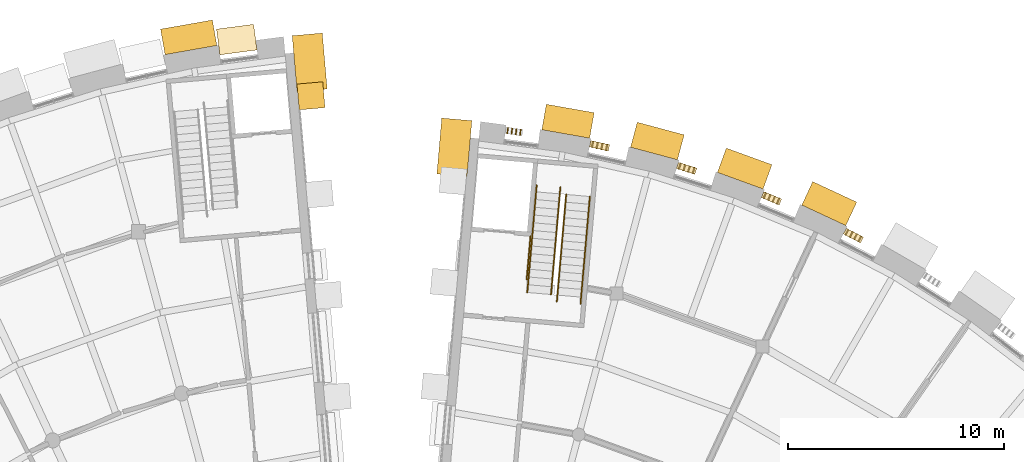
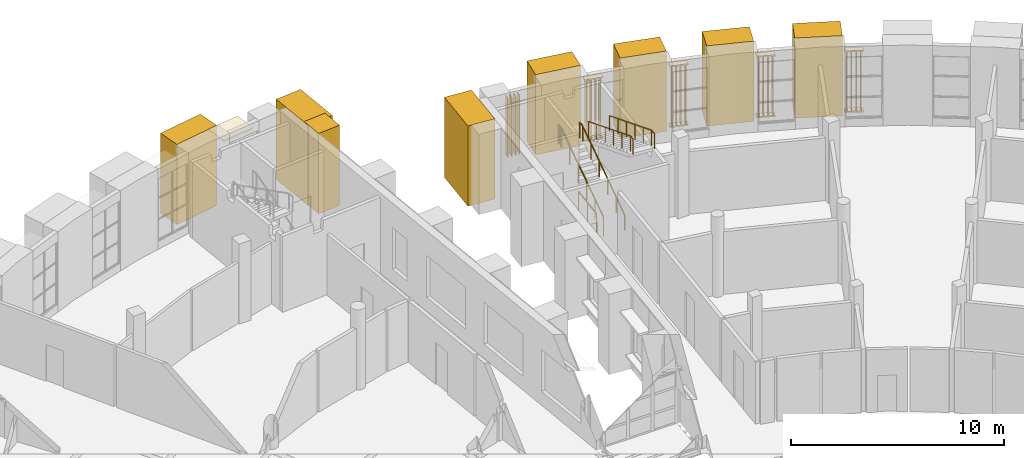
# One storey, part 63 of 66: 37 coverings, 5 railings.
"""IFC4 building model written with IfcOpenShell, lengths in metres."""

from ifc_helpers import new_model, si_unit, direction, frame, origin, origin_2d, place, context, subcontext, project, spatial, rectangle, circle, extrude, material, layer, layer_set, type_object, element, save


model = new_model("IFC4")

# Units and contexts
model_context = context("Model", 3, precision=1e-05, world=origin(), true_north=direction((0.0, 1.0)))
body_context = subcontext(model_context, "Body", "Model", "MODEL_VIEW")
ifc_project = project(units=[si_unit("LENGTHUNIT", "METRE"), si_unit("AREAUNIT", "SQUARE_METRE"), si_unit("VOLUMEUNIT", "CUBIC_METRE"), si_unit("PLANEANGLEUNIT", "RADIAN"), si_unit("MASSUNIT", "GRAM", prefix="KILO")], contexts=[model_context])

# Site, building, storey
site_placement = place(None, origin())
site = spatial("IfcSite", under=ifc_project, at=site_placement, CompositionType="ELEMENT")
building_placement = place(site_placement, origin())
building = spatial("IfcBuilding", under=site, at=building_placement, Name="Volute Hill Aquarium", CompositionType="ELEMENT")
storey_placement = place(building_placement, frame((0.0, 0.0, 4.60009765625)))
storey = spatial("IfcBuildingStorey", under=building, at=storey_placement, Name="L02", CompositionType="ELEMENT", Elevation=4.60009765625)

# Covering
ifc_material_1 = material(Name="Precast concrete C40/50", Category="concrete")
covering_type_1 = type_object("IfcCoveringType", Name="End wall precast fin C40/50 1200x1200", PredefinedType="CLADDING", material=ifc_material_1)
covering_1_placement = place(storey_placement, frame((-3.4619140625, 49.034912109375, -0.000244140625), z_axis=(0.0, 0.0, 1.0), x_axis=(-0.08715511842, 0.996194752713, 0.0)))
element("IfcCovering", 1, at=covering_1_placement, inside=storey, type_object=covering_type_1, Name="End wall fin EWF S6A L02 7", PredefinedType="CLADDING", context=body_context, shape_type="SweptSolid", body=[
    extrude(rectangle(XDim=1.199951171875, YDim=1.199951171875, at=origin_2d()), origin(), (0.0, 0.0, 1.0), 4.60009765625),
])

# Railings
ifc_material_2 = material(Name="Stainless steel 1.4301", Category="steel")
railing_type_1 = type_object("IfcRailingType", Name="Guard 1100 stainless", PredefinedType="GUARDRAIL", material=ifc_material_2)
railing_1_placement = place(storey_placement, frame((6.701904296875, 42.527587890625, 0.0)))
element("IfcRailing", 2, at=railing_1_placement, inside=storey, type_object=railing_type_1, Name="gd/S5-B/L02/edge", PredefinedType="GUARDRAIL", context=body_context, shape_type="SweptSolid", body=[
    extrude(circle(Radius=0.02392578125, at=origin_2d()), frame((0.0, 0.0, 1.076171875), z_axis=(-0.087166950281, -0.996193717496, 0.0), x_axis=(0.996193717496, -0.087166950281, 0.0)), (0.0, 0.0, 1.0), 1.999755859375),
    extrude(circle(Radius=0.02099609375, at=origin_2d()), origin(), (0.0, 0.0, 1.0), 1.052001953125),
    extrude(circle(Radius=0.02099609375, at=origin_2d()), frame((-0.087158203125, -0.99609375, 0.0)), (0.0, 0.0, 1.0), 1.052001953125),
    extrude(circle(Radius=0.02099609375, at=origin_2d()), frame((-0.17431640625, -1.9921875, 0.0)), (0.0, 0.0, 1.0), 1.052001953125),
])
railing_2_placement = place(storey_placement, frame((6.55517578125, 39.9306640625, 0.164306640625)))
element("IfcRailing", 3, at=railing_2_placement, inside=storey, type_object=railing_type_1, Name="gd/S5-B/L02/1", PredefinedType="GUARDRAIL", context=body_context, shape_type="SweptSolid", body=[
    extrude(circle(Radius=0.02392578125, at=origin_2d()), frame((0.0, 0.0, 1.076171875), z_axis=(0.079258608814, 0.906300834673, 0.415134761253), x_axis=(-0.996197793412, 0.087120355834, 0.0)), (0.0, 0.0, 1.0), 5.14404296875),
    extrude(circle(Radius=0.02392578125, at=origin_2d()), frame((0.40771484375, 4.662109375, 3.21142578125), z_axis=(0.087893810296, 0.996129850025, 0.0), x_axis=(-0.996129850025, 0.087893810296, 0.0)), (0.0, 0.0, 1.0), 0.300048828125),
    extrude(circle(Radius=0.02099609375, at=origin_2d()), origin(), (0.0, 0.0, 1.0), 1.052001953125),
    extrude(circle(Radius=0.02099609375, at=origin_2d()), frame((0.08154296875, 0.932373046875, 0.427001953125)), (0.0, 0.0, 1.0), 1.052001953125),
    extrude(circle(Radius=0.02099609375, at=origin_2d()), frame((0.1630859375, 1.86474609375, 0.854248046875)), (0.0, 0.0, 1.0), 1.052001953125),
    extrude(circle(Radius=0.02099609375, at=origin_2d()), frame((0.24462890625, 2.79736328125, 1.28125)), (0.0, 0.0, 1.0), 1.052001953125),
    extrude(circle(Radius=0.02099609375, at=origin_2d()), frame((0.326171875, 3.729736328125, 1.70849609375)), (0.0, 0.0, 1.0), 1.052001953125),
    extrude(circle(Radius=0.02099609375, at=origin_2d()), frame((0.40771484375, 4.662109375, 2.135498046875)), (0.0, 0.0, 1.0), 1.052001953125),
    extrude(circle(Radius=0.02099609375, at=origin_2d()), frame((0.43408203125, 4.9609375, 2.135498046875)), (0.0, 0.0, 1.0), 1.052001953125),
])
ifc_material_3 = material(Name="Stainless steel 1.4301", Category="steel")
railing_type_2 = type_object("IfcRailingType", Name="Handrail 48 stainless", PredefinedType="HANDRAIL", material=ifc_material_3)
railing_3_placement = place(storey_placement, frame((7.65087890625, 39.834716796875, 0.164306640625)))
element("IfcRailing", 4, at=railing_3_placement, inside=storey, type_object=railing_type_2, Name="hr/S5-B/L02/2", PredefinedType="HANDRAIL", context=body_context, shape_type="SweptSolid", body=[
    extrude(circle(Radius=0.02392578125, at=origin_2d()), frame((0.0, 0.0, 0.8759765625), z_axis=(0.079302359607, 0.906305901507, 0.415115343796), x_axis=(-0.996193660874, 0.087167597388, 0.0)), (0.0, 0.0, 1.0), 5.144287109375),
    extrude(circle(Radius=0.02392578125, at=origin_2d()), frame((0.407958984375, 4.662353515625, 3.01123046875), z_axis=(0.087086179441, 0.996200781645, 0.0), x_axis=(-0.996200781645, 0.087086179441, 0.0)), (0.0, 0.0, 1.0), 0.300048828125),
    extrude(circle(Radius=0.02099609375, at=origin_2d()), origin(), (0.0, 0.0, 1.0), 0.851806640625),
    extrude(circle(Radius=0.02099609375, at=origin_2d()), frame((0.08154296875, 0.932373046875, 0.427001953125)), (0.0, 0.0, 1.0), 0.851806640625),
    extrude(circle(Radius=0.02099609375, at=origin_2d()), frame((0.1630859375, 1.864990234375, 0.854248046875)), (0.0, 0.0, 1.0), 0.851806640625),
    extrude(circle(Radius=0.02099609375, at=origin_2d()), frame((0.244873046875, 2.79736328125, 1.28125)), (0.0, 0.0, 1.0), 0.851806640625),
    extrude(circle(Radius=0.02099609375, at=origin_2d()), frame((0.326416015625, 3.72998046875, 1.70849609375)), (0.0, 0.0, 1.0), 0.851806640625),
    extrude(circle(Radius=0.02099609375, at=origin_2d()), frame((0.407958984375, 4.662353515625, 2.135498046875)), (0.0, 0.0, 1.0), 0.851806640625),
    extrude(circle(Radius=0.02099609375, at=origin_2d()), frame((0.43408203125, 4.961181640625, 2.135498046875)), (0.0, 0.0, 1.0), 0.851806640625),
])
railing_4_placement = place(storey_placement, frame((8.357666015625, 44.470703125, 2.464111328125)))
element("IfcRailing", 5, at=railing_4_placement, inside=storey, type_object=railing_type_2, Name="hr/S5-B/L02/3", PredefinedType="HANDRAIL", context=body_context, shape_type="SweptSolid", body=[
    extrude(circle(Radius=0.02392578125, at=origin_2d()), frame((0.0, 0.0, 0.8759765625), z_axis=(-0.079304208105, -0.90627956791, 0.415172479057), x_axis=(0.996193264484, -0.087172127406, 0.0)), (0.0, 0.0, 1.0), 5.144287109375),
    extrude(circle(Radius=0.02392578125, at=origin_2d()), frame((-0.407958984375, -4.662109375, 3.01171875), z_axis=(-0.087086179441, -0.996200781645, 0.0), x_axis=(0.996200781645, -0.087086179441, 0.0)), (0.0, 0.0, 1.0), 0.300048828125),
    extrude(circle(Radius=0.02099609375, at=origin_2d()), origin(), (0.0, 0.0, 1.0), 0.851806640625),
    extrude(circle(Radius=0.02099609375, at=origin_2d()), frame((-0.08154296875, -0.932373046875, 0.42724609375)), (0.0, 0.0, 1.0), 0.851806640625),
    extrude(circle(Radius=0.02099609375, at=origin_2d()), frame((-0.1630859375, -1.86474609375, 0.854248046875)), (0.0, 0.0, 1.0), 0.851806640625),
    extrude(circle(Radius=0.02099609375, at=origin_2d()), frame((-0.244873046875, -2.79736328125, 1.281494140625)), (0.0, 0.0, 1.0), 0.851806640625),
    extrude(circle(Radius=0.02099609375, at=origin_2d()), frame((-0.326416015625, -3.729736328125, 1.70849609375)), (0.0, 0.0, 1.0), 0.851806640625),
    extrude(circle(Radius=0.02099609375, at=origin_2d()), frame((-0.407958984375, -4.662109375, 2.1357421875)), (0.0, 0.0, 1.0), 0.851806640625),
    extrude(circle(Radius=0.02099609375, at=origin_2d()), frame((-0.43408203125, -4.9609375, 2.1357421875)), (0.0, 0.0, 1.0), 0.851806640625),
])
railing_5_placement = place(storey_placement, frame((9.45361328125, 44.375, 2.464111328125)))
element("IfcRailing", 6, at=railing_5_placement, inside=storey, type_object=railing_type_2, Name="hr/S5-B/L02/4", PredefinedType="HANDRAIL", context=body_context, shape_type="SweptSolid", body=[
    extrude(circle(Radius=0.02392578125, at=origin_2d()), frame((0.0, 0.0, 0.8759765625), z_axis=(-0.079300797264, -0.906288046285, 0.415154622658), x_axis=(0.996193660874, -0.087167597388, 0.0)), (0.0, 0.0, 1.0), 5.14453125),
    extrude(circle(Radius=0.02392578125, at=origin_2d()), frame((-0.407958984375, -4.662353515625, 3.01171875), z_axis=(-0.087086179441, -0.996200781645, 0.0), x_axis=(0.996200781645, -0.087086179441, 0.0)), (0.0, 0.0, 1.0), 0.300048828125),
    extrude(circle(Radius=0.02099609375, at=origin_2d()), origin(), (0.0, 0.0, 1.0), 0.851806640625),
    extrude(circle(Radius=0.02099609375, at=origin_2d()), frame((-0.08154296875, -0.932373046875, 0.42724609375)), (0.0, 0.0, 1.0), 0.851806640625),
    extrude(circle(Radius=0.02099609375, at=origin_2d()), frame((-0.1630859375, -1.864990234375, 0.854248046875)), (0.0, 0.0, 1.0), 0.851806640625),
    extrude(circle(Radius=0.02099609375, at=origin_2d()), frame((-0.244873046875, -2.79736328125, 1.281494140625)), (0.0, 0.0, 1.0), 0.851806640625),
    extrude(circle(Radius=0.02099609375, at=origin_2d()), frame((-0.326416015625, -3.72998046875, 1.70849609375)), (0.0, 0.0, 1.0), 0.851806640625),
    extrude(circle(Radius=0.02099609375, at=origin_2d()), frame((-0.407958984375, -4.662353515625, 2.1357421875)), (0.0, 0.0, 1.0), 0.851806640625),
    extrude(circle(Radius=0.02099609375, at=origin_2d()), frame((-0.43408203125, -4.961181640625, 2.1357421875)), (0.0, 0.0, 1.0), 0.851806640625),
])

# Coverings
ifc_material_4 = material(Name="Aluminium, anodised", Category="aluminium")
ifc_layer = layer(ifc_material_4, 0.080078125)
ifc_layer_set = layer_set([ifc_layer], Name="Horizontal brise-soleil eyebrow 1200x80")
covering_type_2 = type_object("IfcCoveringType", Name="Horizontal brise-soleil eyebrow 1200x80", PredefinedType="CLADDING", material=ifc_layer_set)
covering_2_placement = place(storey_placement, frame((-6.89990234375, 51.64208984375, 3.85986328125), z_axis=(0.0, 0.0, 1.0), x_axis=(-0.991444832339, -0.130526412759, 0.0)))
element("IfcCovering", 7, at=covering_2_placement, inside=storey, type_object=covering_type_2, Name="Brise-soleil eyebrow BS S6 L02 1.1", PredefinedType="CLADDING", context=body_context, shape_type="SweptSolid", body=[
    extrude(rectangle(XDim=1.733642578125, YDim=1.199951171875, at=origin_2d()), origin(), (0.0, 0.0, 1.0), 0.080078125),
])
ifc_material_5 = material(Name="Aluminium", Category="aluminium")
covering_type_3 = type_object("IfcCoveringType", Name="Plant louvre slat 40x300", PredefinedType="CLADDING", material=ifc_material_5)
for number, where, z_axis, x_axis, name in (
    (8, (21.95166015625, 42.410400390625, 0.52978515625), (0.0, 0.0, 1.0), (-0.887006559862, 0.461756822107, 0.0), "Plant louvre slat S5 L02 6.1.1"),
    (9, (21.753662109375, 42.513671875, 0.52978515625), (0.0, 0.0, 1.0), (-0.887006559862, 0.461756822107, 0.0), "Plant louvre slat S5 L02 6.1.2"),
    (10, (21.5556640625, 42.61669921875, 0.52978515625), (0.0, 0.0, 1.0), (-0.887006559862, 0.461756822107, 0.0), "Plant louvre slat S5 L02 6.1.3"),
    (11, (21.357666015625, 42.7197265625, 0.52978515625), (0.0, 0.0, 1.0), (-0.887006559862, 0.461756822107, 0.0), "Plant louvre slat S5 L02 6.1.4"),
    (12, (18.171875, 44.162353515625, 0.52978515625), (0.0, 0.0, 1.0), (-0.92387858834, 0.382685711789, 0.0), "Plant louvre slat S5 L02 7.1.1"),
    (13, (17.965576171875, 44.247802734375, 0.52978515625), (0.0, 0.0, 1.0), (-0.92387858834, 0.382685711789, 0.0), "Plant louvre slat S5 L02 7.1.2"),
    (14, (17.75927734375, 44.333251953125, 0.52978515625), (0.0, 0.0, 1.0), (-0.92387858834, 0.382685711789, 0.0), "Plant louvre slat S5 L02 7.1.3"),
    (15, (17.55322265625, 44.418701171875, 0.52978515625), (0.0, 0.0, 1.0), (-0.92387858834, 0.382685711789, 0.0), "Plant louvre slat S5 L02 7.1.4"),
    (16, (14.253662109375, 45.578125, 0.52978515625), (0.0, 0.0, 1.0), (-0.95371759465, 0.3007037573, 0.0), "Plant louvre slat S5 L02 8.1.1"),
    (17, (14.040771484375, 45.645263671875, 0.52978515625), (0.0, 0.0, 1.0), (-0.95371759465, 0.3007037573, 0.0), "Plant louvre slat S5 L02 8.1.2"),
    (18, (13.827880859375, 45.71240234375, 0.52978515625), (0.0, 0.0, 1.0), (-0.95371759465, 0.3007037573, 0.0), "Plant louvre slat S5 L02 8.1.3"),
    (19, (13.614990234375, 45.779296875, 0.52978515625), (0.0, 0.0, 1.0), (-0.95371759465, 0.3007037573, 0.0), "Plant louvre slat S5 L02 8.1.4"),
    (20, (10.22705078125, 46.64697265625, 0.52978515625), (0.0, 0.0, 1.0), (-0.976299687728, 0.21642301112, 0.0), "Plant louvre slat S5 L02 9.1.1"),
    (21, (10.009033203125, 46.695068359375, 0.52978515625), (0.0, 0.0, 1.0), (-0.976299687728, 0.21642301112, 0.0), "Plant louvre slat S5 L02 9.1.2"),
    (22, (9.791259765625, 46.743408203125, 0.52978515625), (0.0, 0.0, 1.0), (-0.976299687728, 0.21642301112, 0.0), "Plant louvre slat S5 L02 9.1.3"),
    (23, (9.5732421875, 46.791748046875, 0.52978515625), (0.0, 0.0, 1.0), (-0.976299687728, 0.21642301112, 0.0), "Plant louvre slat S5 L02 9.1.4"),
    (24, (6.234375, 47.345947265625, 0.52978515625), (0.0, 0.0, 1.0), (-0.991442570657, 0.130543590761, 0.0), "Plant louvre slat S5 L02 10.1.1"),
    (25, (6.037841796875, 47.371826171875, 0.52978515625), (0.0, 0.0, 1.0), (-0.991442570657, 0.130543590761, 0.0), "Plant louvre slat S5 L02 10.1.2"),
    (26, (5.84130859375, 47.397705078125, 0.52978515625), (0.0, 0.0, 1.0), (-0.991442570657, 0.130543590761, 0.0), "Plant louvre slat S5 L02 10.1.3"),
    (27, (5.644775390625, 47.423583984375, 0.52978515625), (0.0, 0.0, 1.0), (-0.991442570657, 0.130543590761, 0.0), "Plant louvre slat S5 L02 10.1.4"),
):
    element("IfcCovering", number, at=place(storey_placement, frame(where, z_axis=z_axis, x_axis=x_axis)), inside=storey, type_object=covering_type_3, Name=name, PredefinedType="CLADDING", context=body_context, shape_type="SweptSolid", body=[
        extrude(rectangle(XDim=0.0400390625, YDim=0.300048828125, at=origin_2d()), origin(), (0.0, 0.0, 1.0), 3.389892578125),
    ])
ifc_material_6 = material(Name="Aluminium", Category="aluminium")
covering_type_4 = type_object("IfcCoveringType", Name="Plant louvre slat rail 300x80", PredefinedType="CLADDING", material=ifc_material_6)
for number, where, z_axis, x_axis, name in (
    (28, (21.65478515625, 42.565185546875, 0.449951171875), (0.0, 0.0, 1.0), (-0.887006559862, 0.461756822107, 0.0), "Plant louvre slat rail S5 L02 6.1"),
    (29, (21.65478515625, 42.565185546875, 3.919921875), (0.0, 0.0, 1.0), (-0.887006559862, 0.461756822107, 0.0), "Plant louvre slat rail S5 L02 6.2"),
    (30, (17.862548828125, 44.29052734375, 0.449951171875), (0.0, 0.0, 1.0), (-0.92387858834, 0.382685711789, 0.0), "Plant louvre slat rail S5 L02 7.1"),
    (31, (17.862548828125, 44.29052734375, 3.919921875), (0.0, 0.0, 1.0), (-0.92387858834, 0.382685711789, 0.0), "Plant louvre slat rail S5 L02 7.2"),
    (32, (13.934326171875, 45.6787109375, 0.449951171875), (0.0, 0.0, 1.0), (-0.95371759465, 0.3007037573, 0.0), "Plant louvre slat rail S5 L02 8.1"),
    (33, (13.934326171875, 45.6787109375, 3.919921875), (0.0, 0.0, 1.0), (-0.95371759465, 0.3007037573, 0.0), "Plant louvre slat rail S5 L02 8.2"),
    (34, (9.900146484375, 46.71923828125, 0.449951171875), (0.0, 0.0, 1.0), (-0.976299687728, 0.21642301112, 0.0), "Plant louvre slat rail S5 L02 9.1"),
    (35, (9.900146484375, 46.71923828125, 3.919921875), (0.0, 0.0, 1.0), (-0.976299687728, 0.21642301112, 0.0), "Plant louvre slat rail S5 L02 9.2"),
):
    element("IfcCovering", number, at=place(storey_placement, frame(where, z_axis=z_axis, x_axis=x_axis)), inside=storey, type_object=covering_type_4, Name=name, PredefinedType="CLADDING", context=body_context, shape_type="SweptSolid", body=[
        extrude(rectangle(XDim=0.892822265625, YDim=0.300048828125, at=origin_2d()), origin(), (0.0, 0.0, 1.0), 0.080078125),
    ])
ifc_material_7 = material(Name="Precast concrete C40/50", Category="concrete")
covering_type_5 = type_object("IfcCoveringType", Name="Projecting pier precast concrete C40/50 2249x1200", PredefinedType="CLADDING", material=ifc_material_7)
for number, where, z_axis, x_axis, name in (
    (36, (20.538330078125, 44.044677734375, -0.000244140625), (0.0, 0.0, 1.0), (-0.906307787037, 0.422618261741, 0.0), "Projecting pier PP S5 L02 6"),
    (37, (16.62158203125, 45.667236328125, -0.000244140625), (0.0, 0.0, 1.0), (-0.939692620786, 0.342020143326, 0.0), "Projecting pier PP S5 L02 7"),
    (38, (12.578125, 46.94189453125, -0.000244140625), (0.0, 0.0, 1.0), (-0.965925826289, 0.258819045103, 0.0), "Projecting pier PP S5 L02 8"),
    (39, (8.43896484375, 47.859619140625, -0.000244140625), (0.0, 0.0, 1.0), (-0.984807753012, 0.173648177667, 0.0), "Projecting pier PP S5 L02 9"),
):
    element("IfcCovering", number, at=place(storey_placement, frame(where, z_axis=z_axis, x_axis=x_axis)), inside=storey, type_object=covering_type_5, Name=name, PredefinedType="CLADDING", context=body_context, shape_type="SweptSolid", body=[
        extrude(rectangle(XDim=2.24853515625, YDim=1.199951171875, at=origin_2d()), origin(), (0.0, 0.0, 1.0), 4.60009765625),
    ])
ifc_material_8 = material(Name="Precast concrete C40/50", Category="concrete")
covering_type_6 = type_object("IfcCoveringType", Name="Projecting pier precast concrete C40/50 2435x1200", PredefinedType="CLADDING", material=ifc_material_8)
covering_3_placement = place(storey_placement, frame((-9.1240234375, 51.745361328125, -0.000244140625), z_axis=(0.0, 0.0, 1.0), x_axis=(-0.984807753012, -0.173648177667, 0.0)))
element("IfcCovering", 40, at=covering_3_placement, inside=storey, type_object=covering_type_6, Name="Projecting pier PP S6 L02 1", PredefinedType="CLADDING", context=body_context, shape_type="SweptSolid", body=[
    extrude(rectangle(XDim=2.435302734375, YDim=1.199951171875, at=origin_2d()), origin(), (0.0, 0.0, 1.0), 4.60009765625),
])
ifc_material_9 = material(Name="Precast concrete C40/50", Category="concrete")
covering_type_7 = type_object("IfcCoveringType", Name="Step pylon precast concrete C40/50 1400x2600", PredefinedType="CLADDING", material=ifc_material_9)
for number, where, z_axis, x_axis, name in (
    (41, (3.177978515625, 46.650634765625, -0.000244140625), (0.0, 0.0, 1.0), (0.087155742748, 0.996194698092, 0.0), "Step pylon SPY S5B L02"),
    (42, (-3.522216796875, 50.58544921875, -0.000244140625), (0.0, 0.0, 1.0), (-0.087155742748, 0.996194698092, 0.0), "Step pylon SPY S6A L02"),
):
    element("IfcCovering", number, at=place(storey_placement, frame(where, z_axis=z_axis, x_axis=x_axis)), inside=storey, type_object=covering_type_7, Name=name, PredefinedType="CLADDING", context=body_context, shape_type="SweptSolid", body=[
        extrude(rectangle(XDim=2.60009765625, YDim=1.39990234375, at=origin_2d()), origin(), (0.0, 0.0, 1.0), 4.60009765625),
    ])

save(model, "model.ifc")
